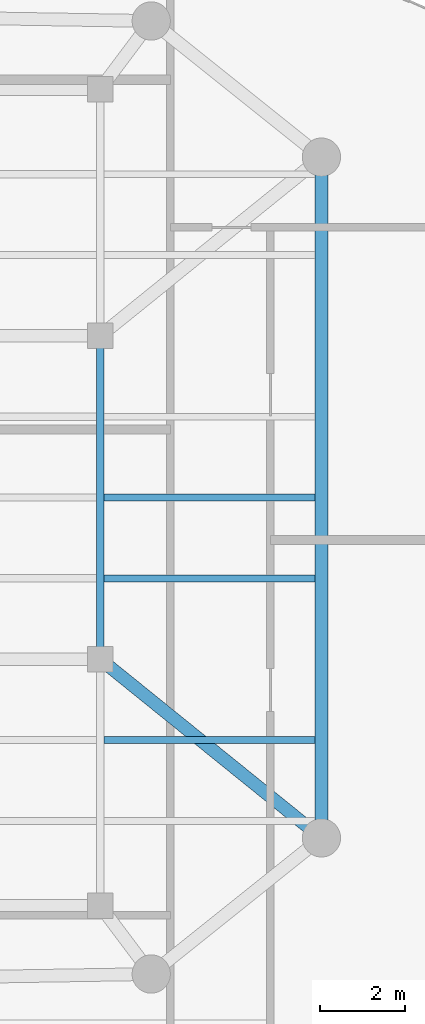
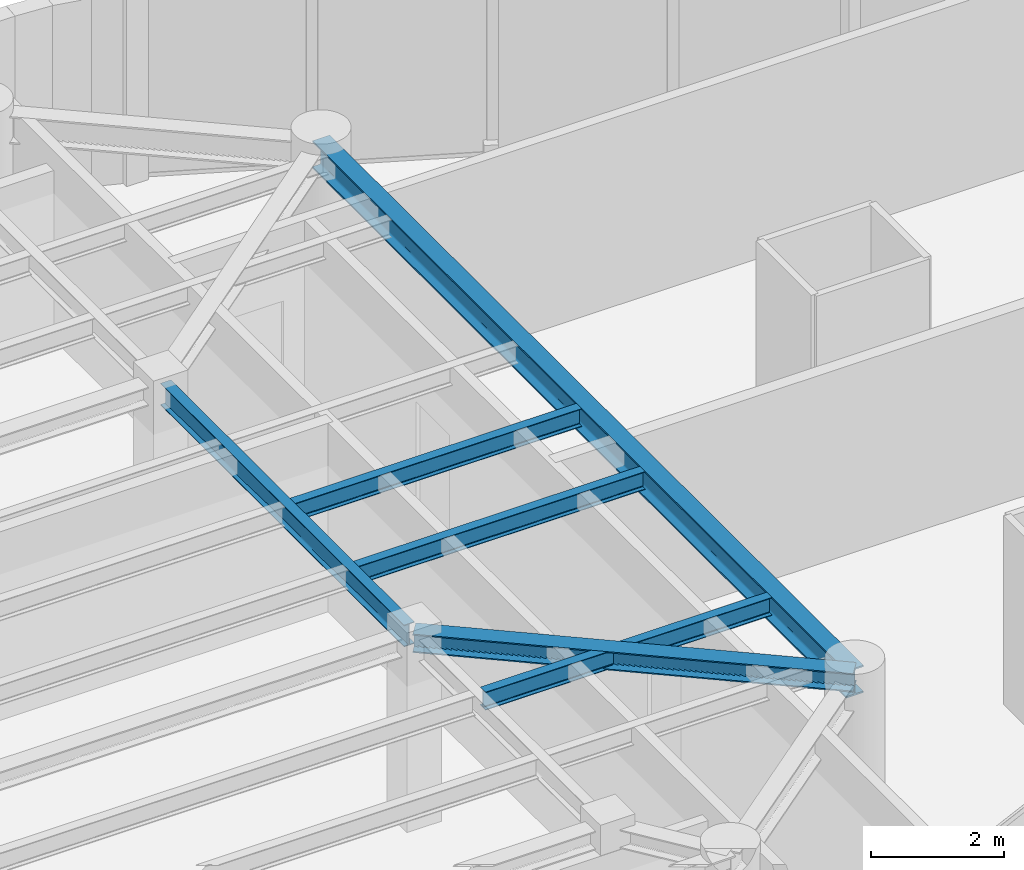
# One storey, part 3 of 12: 6 beams.
"""IFC4 building model written with IfcOpenShell, lengths in metres."""

from ifc_helpers import new_model, si_unit, direction, frame, origin, origin_2d, place, context, subcontext, project, spatial, i_section, extrude, material, material_profile, profile_set, type_object, element, save


model = new_model("IFC4")

# Units and contexts
model_context = context("Model", 3, precision=1e-05, world=origin(), true_north=direction((0.0, 1.0)))
body_context = subcontext(model_context, "Body", "Model", "MODEL_VIEW")
ifc_project = project(units=[si_unit("LENGTHUNIT", "METRE"), si_unit("AREAUNIT", "SQUARE_METRE"), si_unit("VOLUMEUNIT", "CUBIC_METRE"), si_unit("PLANEANGLEUNIT", "RADIAN"), si_unit("MASSUNIT", "GRAM", prefix="KILO")], contexts=[model_context])

# Site, building, storey
site_placement = place(None, origin())
site = spatial("IfcSite", under=ifc_project, at=site_placement, CompositionType="ELEMENT")
building_placement = place(site_placement, origin())
building = spatial("IfcBuilding", under=site, at=building_placement, Name="An Khanh Terracotta Commons", CompositionType="ELEMENT")
storey_placement = place(building_placement, frame((0.0, 0.0, 258.800048828125)))
storey = spatial("IfcBuildingStorey", under=building, at=storey_placement, Name="L67", CompositionType="ELEMENT", Elevation=258.800048828125)

# Beams
ifc_material = material(Name="Steel S355J2", Category="steel")
ifc_material_profile_1 = material_profile(ifc_material, i_section(OverallWidth=0.300048828125, OverallDepth=0.340087890625, WebThickness=0.011962890625, FlangeThickness=0.021484375, FilletRadius=0.027099609375, at=origin_2d()), Name="HEB340")
ifc_profile_set_1 = profile_set([ifc_material_profile_1], Name="Steel S355J2")
beam_type_1 = type_object("IfcBeamType", Name="BM-HEB340", PredefinedType="BEAM", material=ifc_profile_set_1)
beam_1_placement = place(storey_placement, frame((63.39990234375, 16.0, 3.280029296875), z_axis=(-0.777941866883, 0.628336256913, 0.0), x_axis=(-0.628336256913, -0.777941866883, 0.0)))
element("IfcBeam", 1, at=beam_1_placement, inside=storey, type_object=beam_type_1, Name="L67 Mega-Column Tie Girder 3", PredefinedType="BEAM", context=body_context, shape_type="SweptSolid", body=[
    extrude(i_section(OverallWidth=0.300048828125, OverallDepth=0.340087890625, WebThickness=0.011962890625, FlangeThickness=0.021484375, FilletRadius=0.027099609375, at=origin_2d()), origin(), (0.0, 0.0, 1.0), 6.684326171875),
])
ifc_material_profile_2 = material_profile(ifc_material, i_section(OverallWidth=0.300048828125, OverallDepth=0.5, WebThickness=0.014404296875, FlangeThickness=0.028076171875, FilletRadius=0.027099609375, at=origin_2d()), Name="HEB500")
ifc_profile_set_2 = profile_set([ifc_material_profile_2], Name="Steel S355J2")
beam_type_2 = type_object("IfcBeamType", Name="BM-HEB500", PredefinedType="BEAM", material=ifc_profile_set_2)
beam_2_placement = place(storey_placement, frame((63.39990234375, 16.0, 3.199951171875), z_axis=(0.0, 1.0, 0.0), x_axis=(-1.0, 0.0, 0.0)))
element("IfcBeam", 2, at=beam_2_placement, inside=storey, type_object=beam_type_2, Name="L67 Perimeter Ring Spandrel 3", PredefinedType="BEAM", context=body_context, shape_type="SweptSolid", body=[
    extrude(i_section(OverallWidth=0.300048828125, OverallDepth=0.5, WebThickness=0.014404296875, FlangeThickness=0.028076171875, FilletRadius=0.027099609375, at=origin_2d()), origin(), (0.0, 0.0, 1.0), 16.0),
])
ifc_material_profile_3 = material_profile(ifc_material, i_section(OverallWidth=0.159912109375, OverallDepth=0.330078125, WebThickness=0.007568359375, FlangeThickness=0.011474609375, FilletRadius=0.01806640625, at=origin_2d()), Name="IPE330")
ifc_profile_set_3 = profile_set([ifc_material_profile_3], Name="Steel S355J2")
beam_type_3 = type_object("IfcBeamType", Name="BM-IPE330", PredefinedType="JOIST", material=ifc_profile_set_3)
for number, where, z_axis, x_axis, name in (
    (3, (58.2900390625, 18.300048828125, 3.284912109375), (1.0, 0.0, 0.0), (0.0, 1.0, 0.0), "L67 Riverfront Composite Joist 2"),
    (4, (58.2900390625, 22.10009765625, 3.284912109375), (1.0, 0.0, 0.0), (0.0, 1.0, 0.0), "L67 Riverfront Composite Joist 3"),
    (5, (58.2900390625, 24.0, 3.284912109375), (1.0, 0.0, 0.0), (0.0, 1.0, 0.0), "L67 Riverfront Composite Joist 4"),
):
    element("IfcBeam", number, at=place(storey_placement, frame(where, z_axis=z_axis, x_axis=x_axis)), inside=storey, type_object=beam_type_3, Name=name, PredefinedType="JOIST", context=body_context, shape_type="SweptSolid", body=[
        extrude(i_section(OverallWidth=0.159912109375, OverallDepth=0.330078125, WebThickness=0.007568359375, FlangeThickness=0.011474609375, FilletRadius=0.01806640625, at=origin_2d()), origin(), (0.0, 0.0, 1.0), 4.9599609375),
    ])
ifc_material_profile_4 = material_profile(ifc_material, i_section(OverallWidth=0.179931640625, OverallDepth=0.39990234375, WebThickness=0.008544921875, FlangeThickness=0.013427734375, FilletRadius=0.02099609375, at=origin_2d()), Name="IPE400")
ifc_profile_set_4 = profile_set([ifc_material_profile_4], Name="Steel S355J2")
beam_type_4 = type_object("IfcBeamType", Name="BM-IPE400", PredefinedType="JOIST", material=ifc_profile_set_4)
beam_3_placement = place(storey_placement, frame((58.199951171875, 20.35009765625, 3.25), z_axis=(0.0, 1.0, 0.0), x_axis=(-1.0, 0.0, 0.0)))
element("IfcBeam", 6, at=beam_3_placement, inside=storey, type_object=beam_type_4, Name="L67 East Spine Girder 2", PredefinedType="JOIST", context=body_context, shape_type="SweptSolid", body=[
    extrude(i_section(OverallWidth=0.179931640625, OverallDepth=0.39990234375, WebThickness=0.008544921875, FlangeThickness=0.013427734375, FilletRadius=0.02099609375, at=origin_2d()), origin(), (0.0, 0.0, 1.0), 7.2998046875),
])

save(model, "model.ifc")
